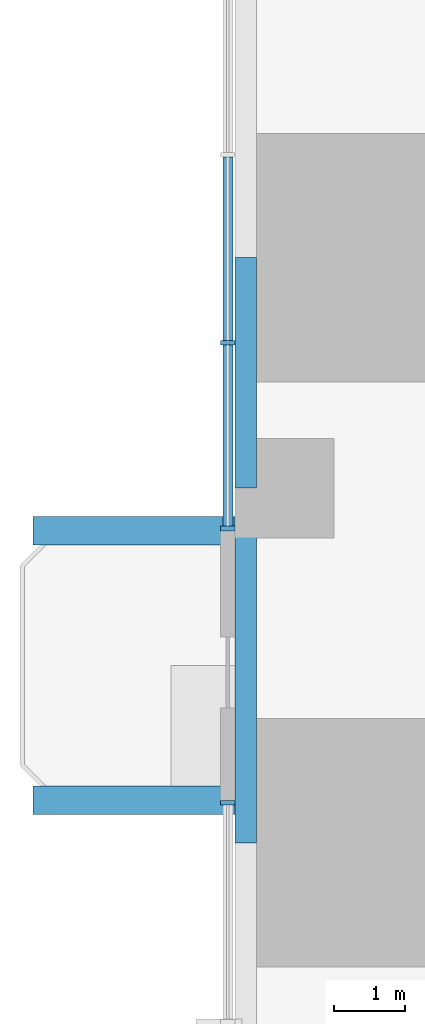
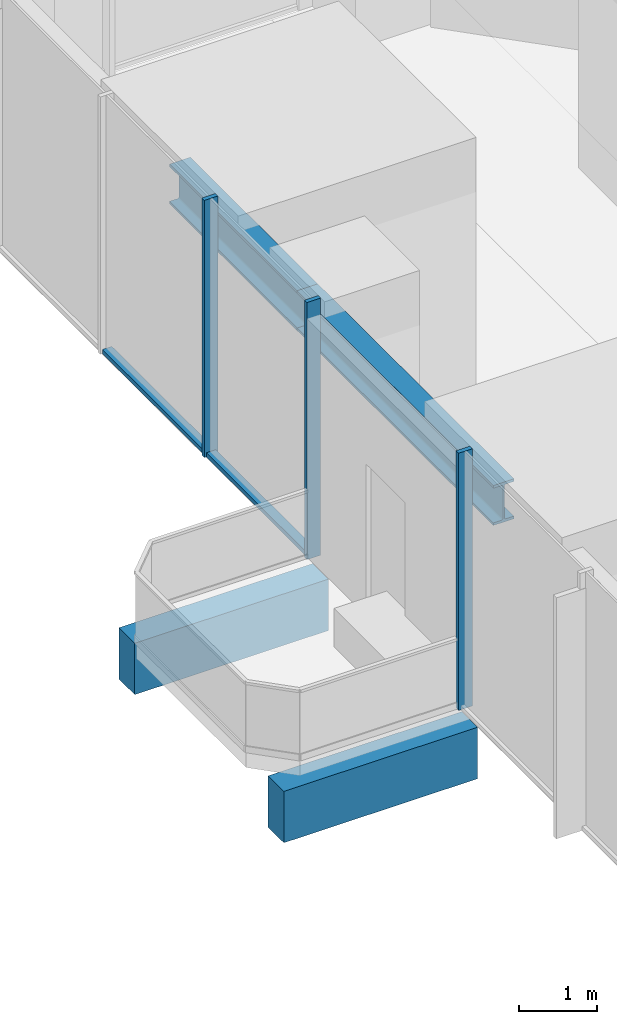
# One storey, part 3 of 16: 5 members, 4 beams, 2 elements without a shape of their own.
"""IFC4 building model written with IfcOpenShell, lengths in metres."""

from ifc_helpers import new_model, si_unit, direction, frame, origin, origin_2d, place, context, subcontext, project, spatial, rectangle, i_section, extrude, material, material_profile, profile_set, type_object, element, aggregate, save


model = new_model("IFC4")

# Units and contexts
model_context = context("Model", 3, precision=1e-05, world=origin(), true_north=direction((0.0, 1.0)))
body_context = subcontext(model_context, "Body", "Model", "MODEL_VIEW")
ifc_project = project(units=[si_unit("LENGTHUNIT", "METRE"), si_unit("AREAUNIT", "SQUARE_METRE"), si_unit("VOLUMEUNIT", "CUBIC_METRE"), si_unit("PLANEANGLEUNIT", "RADIAN"), si_unit("MASSUNIT", "GRAM", prefix="KILO")], contexts=[model_context])

# Site, building, storey
site_placement = place(None, origin())
site = spatial("IfcSite", under=ifc_project, at=site_placement, CompositionType="ELEMENT")
building_placement = place(site_placement, origin())
building = spatial("IfcBuilding", under=site, at=building_placement, Name="Svetlomir Tower", CompositionType="ELEMENT")
storey_placement = place(building_placement, frame((0.0, 0.0, 50.5)))
storey = spatial("IfcBuildingStorey", under=building, at=storey_placement, Name="L11", CompositionType="ELEMENT", Elevation=50.5)

# Beams
ifc_material_1 = material(Name="Concrete C60/75", Category="concrete")
ifc_material_profile_1 = material_profile(ifc_material_1, rectangle(XDim=0.39990234375, YDim=0.800048828125, at=origin_2d()), Name="RC 400x800")
ifc_profile_set_1 = profile_set([ifc_material_profile_1], Name="Concrete C60/75")
beam_type_1 = type_object("IfcBeamType", Name="BALCONY RIB RC 400x800", PredefinedType="BEAM", material=ifc_profile_set_1)
for number, where, z_axis, x_axis, name in (
    (1, (0.0, 21.60009765625, -0.64990234375), (-1.0, 0.0, 0.0), (0.0, -1.0, 0.0), "Balcony rib W 1 L11"),
    (2, (0.0, 25.39990234375, -0.64990234375), (-1.0, 0.0, 0.0), (0.0, -1.0, 0.0), "Balcony rib W 2 L11"),
):
    element("IfcBeam", number, at=place(storey_placement, frame(where, z_axis=z_axis, x_axis=x_axis)), inside=storey, type_object=beam_type_1, Name=name, PredefinedType="BEAM", context=body_context, shape_type="SweptSolid", body=[
        extrude(rectangle(XDim=0.39990234375, YDim=0.800048828125, at=origin_2d()), origin(), (0.0, 0.0, 1.0), 2.85009765625),
    ])

# Curtain wall, members
ifc_material_2 = material(Name="Bronze anodised aluminium curtain wall", Category="aluminium")
curtain_wall_type = type_object("IfcCurtainWallType", Name="CURTAIN WALL CW1 TOWER OFFICE", PredefinedType="NOTDEFINED", material=ifc_material_2)
curtain_wall_1_placement = place(storey_placement, origin())
curtain_wall_1 = element("IfcCurtainWall", 3, at=curtain_wall_1_placement, inside=storey, type_object=curtain_wall_type, Name="Curtain wall CW1 L11", PredefinedType="NOTDEFINED")
ifc_material_3 = material(Name="Bronze anodised aluminium", Category="aluminium")
ifc_material_profile_2 = material_profile(ifc_material_3, rectangle(XDim=0.06494140625, YDim=0.199951171875, at=origin_2d()), Name="AL 65x200")
ifc_profile_set_2 = profile_set([ifc_material_profile_2], Name="Bronze anodised aluminium 6063-T6")
member_type_1 = type_object("IfcMemberType", Name="CW1 MULLION 65x200", PredefinedType="MULLION", material=ifc_profile_set_2)
member_1_placement = place(storey_placement, frame((-0.10009765625, 28.050048828125, 0.0), z_axis=(0.0, 0.0, 1.0), x_axis=(0.0, -1.0, 0.0)))
member_1 = element("IfcMember", 4, at=member_1_placement, type_object=member_type_1, Name="CW1 mullion 4", PredefinedType="MULLION", context=body_context, shape_type="SweptSolid", body=[
    extrude(rectangle(XDim=0.06494140625, YDim=0.199951171875, at=origin_2d()), origin(), (0.0, 0.0, 1.0), 4.0),
])
member_2_placement = place(storey_placement, frame((-0.10009765625, 25.4326171875, 0.0), z_axis=(0.0, 0.0, 1.0), x_axis=(0.0, -1.0, 0.0)))
member_2 = element("IfcMember", 5, at=member_2_placement, type_object=member_type_1, Name="CW1 mullion 5", PredefinedType="MULLION", context=body_context, shape_type="SweptSolid", body=[
    extrude(rectangle(XDim=0.06494140625, YDim=0.199951171875, at=origin_2d()), origin(), (0.0, 0.0, 1.0), 4.0),
])

# Curtain wall, member
curtain_wall_2_placement = place(storey_placement, origin())
curtain_wall_2 = element("IfcCurtainWall", 6, at=curtain_wall_2_placement, inside=storey, type_object=curtain_wall_type, Name="Curtain wall CW1 L11", PredefinedType="NOTDEFINED")
member_3_placement = place(storey_placement, frame((-0.10009765625, 21.5673828125, 0.0), z_axis=(0.0, 0.0, 1.0), x_axis=(0.0, -1.0, 0.0)))
member_3 = element("IfcMember", 7, at=member_3_placement, type_object=member_type_1, Name="CW1 mullion 1", PredefinedType="MULLION", context=body_context, shape_type="SweptSolid", body=[
    extrude(rectangle(XDim=0.06494140625, YDim=0.199951171875, at=origin_2d()), origin(), (0.0, 0.0, 1.0), 4.0),
])
aggregate(curtain_wall_2, [member_3])

# Member
ifc_material_4 = material(Name="Bronze anodised aluminium", Category="aluminium")
ifc_material_profile_3 = material_profile(ifc_material_4, rectangle(XDim=0.139892578125, YDim=0.06494140625, at=origin_2d()), Name="AL 140x65")
ifc_profile_set_3 = profile_set([ifc_material_profile_3], Name="Bronze anodised aluminium 6063-T6")
member_type_2 = type_object("IfcMemberType", Name="CW1 TRANSOM 65x140", PredefinedType="USERDEFINED", material=ifc_profile_set_3)
member_4_placement = place(storey_placement, frame((-0.10009765625, 30.66748046875, 0.032470703125), z_axis=(0.0, -1.0, 0.0), x_axis=(1.0, 0.0, 0.0)))
member_4 = element("IfcMember", 8, at=member_4_placement, type_object=member_type_2, Name="CW1 transom 3.1", ObjectType="TRANSOM", PredefinedType="USERDEFINED", context=body_context, shape_type="SweptSolid", body=[
    extrude(rectangle(XDim=0.139892578125, YDim=0.06494140625, at=origin_2d()), origin(), (0.0, 0.0, 1.0), 2.5849609375),
])

member_5_placement = place(storey_placement, frame((-0.10009765625, 28.017578125, 0.032470703125), z_axis=(0.0, -1.0, 0.0), x_axis=(1.0, 0.0, 0.0)))
member_5 = element("IfcMember", 9, at=member_5_placement, type_object=member_type_2, Name="CW1 transom 4.1", ObjectType="TRANSOM", PredefinedType="USERDEFINED", context=body_context, shape_type="SweptSolid", body=[
    extrude(rectangle(XDim=0.139892578125, YDim=0.06494140625, at=origin_2d()), origin(), (0.0, 0.0, 1.0), 2.552490234375),
])

aggregate(curtain_wall_1, [member_1, member_2, member_4, member_5])

# Beams
ifc_material_5 = material(Name="Steel S355", Category="steel")
ifc_material_profile_4 = material_profile(ifc_material_5, i_section(OverallWidth=0.304931640625, OverallDepth=0.6201171875, WebThickness=0.02099609375, FlangeThickness=0.0400390625, FilletRadius=0.027099609375, at=origin_2d()), Name="HEM 600")
ifc_profile_set_4 = profile_set([ifc_material_profile_4], Name="Steel S355")
beam_type_2 = type_object("IfcBeamType", Name="EDGE BEAM HEM 600", PredefinedType="SPANDREL", material=ifc_profile_set_4)
beam_1_placement = place(storey_placement, frame((0.152587890625, 21.0, 3.43994140625), z_axis=(0.0, 1.0, 0.0), x_axis=(-1.0, 0.0, 0.0)))
element("IfcBeam", 10, at=beam_1_placement, inside=storey, type_object=beam_type_2, Name="Edge beam 0/21 to 0/26 under L12", PredefinedType="SPANDREL", context=body_context, shape_type="SweptSolid", body=[
    extrude(i_section(OverallWidth=0.304931640625, OverallDepth=0.6201171875, WebThickness=0.02099609375, FlangeThickness=0.0400390625, FilletRadius=0.027099609375, at=origin_2d()), origin(), (0.0, 0.0, 1.0), 5.0),
])
beam_2_placement = place(storey_placement, frame((0.152587890625, 26.0, 3.43994140625), z_axis=(0.0, 1.0, 0.0), x_axis=(-1.0, 0.0, 0.0)))
element("IfcBeam", 11, at=beam_2_placement, inside=storey, type_object=beam_type_2, Name="Edge beam 0/26 to 0/31 under L12", PredefinedType="SPANDREL", context=body_context, shape_type="SweptSolid", body=[
    extrude(i_section(OverallWidth=0.304931640625, OverallDepth=0.6201171875, WebThickness=0.02099609375, FlangeThickness=0.0400390625, FilletRadius=0.027099609375, at=origin_2d()), origin(), (0.0, 0.0, 1.0), 3.25),
])

save(model, "model.ifc")
